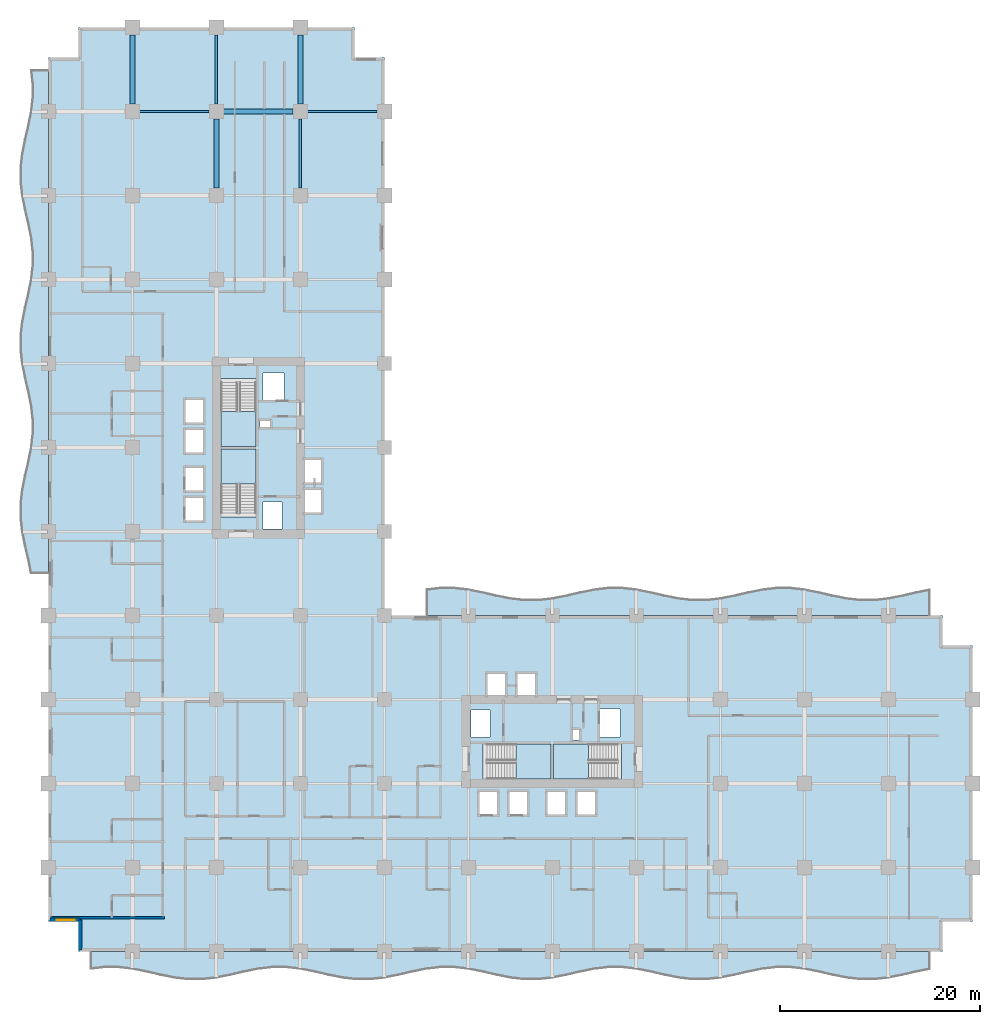
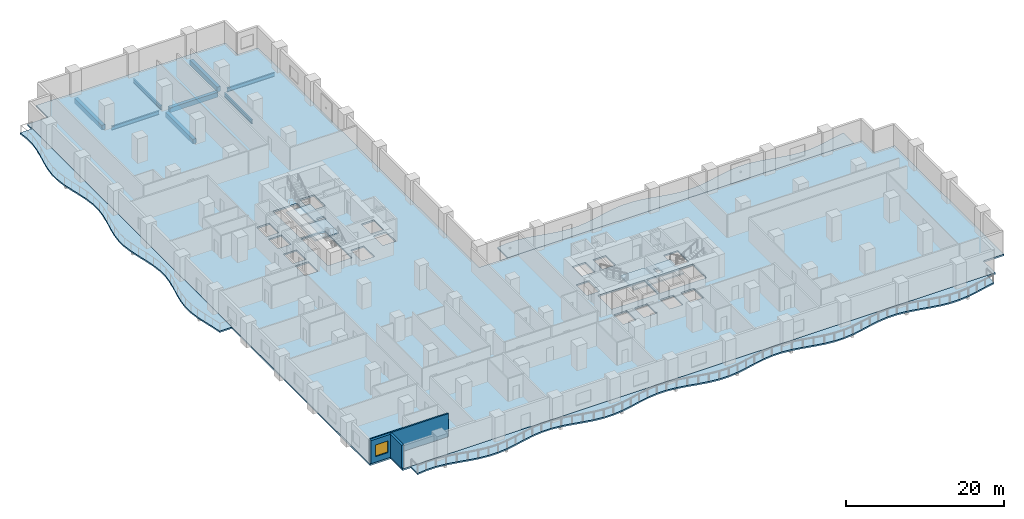
# One storey, part 3 of 20: 8 beams, 8 slabs, 3 walls, 1 window, 1 opening, 4 elements without a shape of their own.
"""IFC4 building model written with IfcOpenShell, lengths in metres."""

import ifcopenshell
import ifcopenshell.guid

model = None  # the IFC model being written
_history = None  # IfcOwnerHistory: only IFC2X3 demands one
_inside = {}  # id of a spatial element -> (the spatial element, [elements in it])
_under = {}  # id of a project, library or spatial element -> (it, [spatial elements below it])
_declared = {}  # id of a project -> (the project, [libraries it declares])
_typed = {}  # id of a type object -> (the type object, [elements of that type])
_made_of = {}  # id of a material, layer set ... -> (it, [elements and type objects made of it])


def new_model(schema):
    """Start an empty IFC model of exactly this schema.

    Asked for "IFC4X3", IfcOpenShell would pick the latest addendum, in which some entities
    have other attributes; the version numbers below select the first issue.
    IFC2X3 requires an IfcOwnerHistory on every rooted entity: one is made here for all.
    """
    global model, _history
    if schema == "IFC4X3":
        model = ifcopenshell.file(schema_version=(4, 3, 0, 0))
    else:
        model = ifcopenshell.file(schema=schema)
    _inside.clear()
    _under.clear()
    _declared.clear()
    _typed.clear()
    _made_of.clear()
    _history = None
    if model.schema == "IFC2X3":
        org = make("IfcOrganization", Name="unknown")
        user = make(
            "IfcPersonAndOrganization",
            ThePerson=make("IfcPerson", FamilyName="unknown"),
            TheOrganization=org,
        )
        app = make(
            "IfcApplication",
            ApplicationDeveloper=org,
            Version="unknown",
            ApplicationFullName="unknown",
            ApplicationIdentifier="unknown",
        )
        _history = make(
            "IfcOwnerHistory",
            OwningUser=user,
            OwningApplication=app,
            ChangeAction="ADDED",
            CreationDate=0,
        )
    return model


def make(cls, **values):
    """One entity of the class cls with the attributes given. An attribute that is None is left unset."""
    return model.create_entity(
        cls, **{name: value for name, value in values.items() if value is not None}
    )


def rooted(cls, **values):
    """An entity with a GlobalId (a new one), such as an element, a storey or a relation."""
    return make(cls, GlobalId=ifcopenshell.guid.new(), OwnerHistory=_history, **values)


def si_unit(unit_type, name, prefix=None):
    """IfcSIUnit, for example si_unit("LENGTHUNIT", "METRE", prefix="MILLI")."""
    return make("IfcSIUnit", UnitType=unit_type, Prefix=prefix, Name=name)


def assignment(units):
    """IfcUnitAssignment: the units of a project."""
    return None if units is None else make("IfcUnitAssignment", Units=units)


def point(xyz):
    """IfcCartesianPoint."""
    return None if xyz is None else make("IfcCartesianPoint", Coordinates=xyz)


def direction(xyz):
    """IfcDirection."""
    return None if xyz is None else make("IfcDirection", DirectionRatios=xyz)


def frame(location, z_axis=None, x_axis=None):
    """IfcAxis2Placement3D, a coordinate frame: its origin and axes. An axis left out is left unset."""
    return make(
        "IfcAxis2Placement3D",
        Location=point(location),
        Axis=direction(z_axis),
        RefDirection=direction(x_axis),
    )


def frame_2d(location, x_axis=None):
    """IfcAxis2Placement2D, a coordinate frame in the plane: its origin and x axis."""
    return make(
        "IfcAxis2Placement2D", Location=point(location), RefDirection=direction(x_axis)
    )


def origin():
    """The frame at (0, 0, 0) with its axes left unset."""
    return frame((0.0, 0.0, 0.0))


def origin_2d():
    """The frame at (0, 0) in the plane with its x axis left unset."""
    return frame_2d((0.0, 0.0))


def place(relative_to, where):
    """IfcLocalPlacement: puts the frame where relative to a parent placement (None: the world)."""
    return make(
        "IfcLocalPlacement", PlacementRelTo=relative_to, RelativePlacement=where
    )


def context(
    kind, dimensions, precision=None, world=None, true_north=None, identifier=None
):
    """IfcGeometricRepresentationContext, for example the 3D "Model" context."""
    return make(
        "IfcGeometricRepresentationContext",
        ContextIdentifier=identifier,
        ContextType=kind,
        CoordinateSpaceDimension=dimensions,
        Precision=precision,
        WorldCoordinateSystem=world,
        TrueNorth=true_north,
    )


def subcontext(parent, identifier, kind, view, scale=None):
    """IfcGeometricRepresentationSubContext, for example "Body" below "Model"."""
    return make(
        "IfcGeometricRepresentationSubContext",
        ContextIdentifier=identifier,
        ContextType=kind,
        ParentContext=parent,
        TargetScale=scale,
        TargetView=view,
    )


def project(units=None, contexts=None):
    """IfcProject with its units and contexts."""
    return rooted(
        "IfcProject",
        Name="project",
        RepresentationContexts=contexts,
        UnitsInContext=assignment(units),
    )


def spatial(cls, under=None, at=None, **own):
    """A site, building, storey or space (cls), placed at a placement, below another one or the project."""
    s = rooted(cls, ObjectPlacement=at, **own)
    if under is not None:
        _under.setdefault(under.id(), (under, []))[1].append(s)
    return s


def polyline(points):
    """IfcPolyline through the points."""
    return make("IfcPolyline", Points=[point(p) for p in points])


def profile(cls, at=None, kind="AREA", **sizes):
    """A parametric profile (cls). Its sizes go by their IFC names, for example OverallWidth=200.0."""
    return make(cls, ProfileType=kind, Position=at, **sizes)


def rectangle(**sizes):
    """IfcRectangleProfileDef."""
    return profile("IfcRectangleProfileDef", **sizes)


def i_section(**sizes):
    """IfcIShapeProfileDef."""
    return profile("IfcIShapeProfileDef", **sizes)


def outline(outer, holes=None, kind="AREA"):
    """IfcArbitraryClosedProfileDef: a profile drawn as a closed curve; with holes, ...WithVoids."""
    if holes is None:
        return make("IfcArbitraryClosedProfileDef", ProfileType=kind, OuterCurve=outer)
    return make(
        "IfcArbitraryProfileDefWithVoids",
        ProfileType=kind,
        OuterCurve=outer,
        InnerCurves=holes,
    )


def extrude(swept, where, along, depth):
    """IfcExtrudedAreaSolid: the profile swept, set in the frame where, extruded along a direction by depth."""
    return make(
        "IfcExtrudedAreaSolid",
        SweptArea=swept,
        Position=where,
        ExtrudedDirection=direction(along),
        Depth=depth,
    )


def shape(context_of_items, identifier, shape_type, items):
    """IfcShapeRepresentation: the items that make up one representation, for example the "Body"."""
    return make(
        "IfcShapeRepresentation",
        ContextOfItems=context_of_items,
        RepresentationIdentifier=identifier,
        RepresentationType=shape_type,
        Items=items,
    )


def material(Name=None, Category=None):
    """IfcMaterial."""
    return make("IfcMaterial", Name=Name, Category=Category)


def layer(
    of_material, thickness, ventilated=None, Name=None, Category=None, Priority=None
):
    """IfcMaterialLayer: one layer of a wall or slab, of a material (None: an air gap)."""
    return make(
        "IfcMaterialLayer",
        Material=of_material,
        LayerThickness=thickness,
        IsVentilated=ventilated,
        Name=Name,
        Category=Category,
        Priority=Priority,
    )


def layer_set(layers, Name=None):
    """IfcMaterialLayerSet."""
    return make("IfcMaterialLayerSet", MaterialLayers=layers, LayerSetName=Name)


def material_profile(
    of_material, cross_section, Name=None, Category=None, Priority=None
):
    """IfcMaterialProfile: a cross section and its material."""
    return make(
        "IfcMaterialProfile",
        Name=Name,
        Material=of_material,
        Profile=cross_section,
        Priority=Priority,
        Category=Category,
    )


def profile_set(profiles, Name=None, composite=None):
    """IfcMaterialProfileSet."""
    return make(
        "IfcMaterialProfileSet",
        Name=Name,
        MaterialProfiles=profiles,
        CompositeProfile=composite,
    )


def made_of(thing, what):
    """Note that an element or type object is made of a material, layer set ...; save() writes the relation."""
    if what is not None:
        _made_of.setdefault(what.id(), (what, []))[1].append(thing)
    return thing


def type_object(cls, material=None, **own):
    """A type object (cls), such as IfcWallType, which elements share."""
    return made_of(rooted(cls, **own), material)


def element(
    cls,
    number,
    at=None,
    inside=None,
    cuts=None,
    type_object=None,
    material=None,
    context=None,
    identifier="Body",
    shape_type=None,
    held_by="IfcProductDefinitionShape",
    body=None,
    shapes=None,
    **own,
):
    """One element of the class cls, such as IfcWall. Its Tag is "e" and its number.

    at: its placement. inside: the storey or other place that contains it. cuts: it is an
    opening in that element (IfcRelVoidsElement). A single representation is given by context,
    identifier, shape_type and body (its items); several are given by shapes. held_by: the class
    of the entity that holds the representations. save() writes the other relations.
    """
    e = rooted(cls, Tag="e%d" % number, ObjectPlacement=at, **own)
    if body is not None:
        shapes = [shape(context, identifier, shape_type, body)]
    if shapes is not None:
        e.Representation = make(held_by, Representations=shapes)
    if inside is not None:
        _inside.setdefault(inside.id(), (inside, []))[1].append(e)
    if cuts is not None:
        rooted(
            "IfcRelVoidsElement", RelatingBuildingElement=cuts, RelatedOpeningElement=e
        )
    if type_object is not None:
        _typed.setdefault(type_object.id(), (type_object, []))[1].append(e)
    return made_of(e, material)


def fill(opening, filler):
    """IfcRelFillsElement: the door or window that sits in an opening."""
    return rooted(
        "IfcRelFillsElement",
        RelatingOpeningElement=opening,
        RelatedBuildingElement=filler,
    )


def aggregate(whole, parts):
    """IfcRelAggregates: a whole, such as a stair, and the parts it consists of."""
    return rooted("IfcRelAggregates", RelatingObject=whole, RelatedObjects=parts)


def save(model, path):
    """Write the relations noted so far, then the file.

    IfcRelAggregates (storeys below a building ...), IfcRelContainedInSpatialStructure (elements
    in a storey), IfcRelDefinesByType, IfcRelAssociatesMaterial and IfcRelDeclares: one each for
    every whole, place, type object, material and project.
    """
    for whole, parts in _under.values():
        aggregate(whole, parts)
    for where, things in _inside.values():
        rooted(
            "IfcRelContainedInSpatialStructure",
            RelatedElements=things,
            RelatingStructure=where,
        )
    for kind, things in _typed.values():
        rooted("IfcRelDefinesByType", RelatedObjects=things, RelatingType=kind)
    for what, things in _made_of.values():
        rooted("IfcRelAssociatesMaterial", RelatedObjects=things, RelatingMaterial=what)
    for by, libraries in _declared.values():
        rooted("IfcRelDeclares", RelatingContext=by, RelatedDefinitions=libraries)
    model.write(path)


model = new_model("IFC4")

# Units and contexts
model_context = context("Model", 3, precision=1e-05, world=origin(), true_north=direction((0.0, 1.0)))
body_context = subcontext(model_context, "Body", "Model", "MODEL_VIEW")
ifc_project = project(units=[si_unit("LENGTHUNIT", "METRE"), si_unit("AREAUNIT", "SQUARE_METRE"), si_unit("VOLUMEUNIT", "CUBIC_METRE"), si_unit("PLANEANGLEUNIT", "RADIAN"), si_unit("MASSUNIT", "GRAM", prefix="KILO")], contexts=[model_context])

# Site, building, storey
site_placement = place(None, origin())
site = spatial("IfcSite", under=ifc_project, at=site_placement, CompositionType="ELEMENT")
building_placement = place(site_placement, origin())
building = spatial("IfcBuilding", under=site, at=building_placement, Name="Koriwani Terraces Tower", CompositionType="ELEMENT")
storey_placement = place(building_placement, frame((0.0, 0.0, 66.199951171875)))
storey = spatial("IfcBuildingStorey", under=building, at=storey_placement, Name="L15", CompositionType="ELEMENT", Elevation=66.199951171875)

# Beams
ifc_material_1 = material(Name="Concrete C50/60", Category="concrete")
ifc_material_profile_1 = material_profile(ifc_material_1, rectangle(XDim=0.5, YDim=0.75, at=origin_2d()), Name="Concrete C50/60", Category="LoadBearing")
ifc_profile_set_1 = profile_set([ifc_material_profile_1], Name="Concrete C50/60")
beam_type_1 = type_object("IfcBeamType", Name="BEAM_RC_GRID_500X750", PredefinedType="BEAM", material=ifc_profile_set_1)
for number, where, z_axis, x_axis, name in (
    (1, (17.530029296875, 84.0, -0.625), (1.0, 0.0, 0.0), (0.0, 1.0, 0.0), "L15 Grid Beam K (16.8-25.2m)"),
    (2, (8.39990234375, 84.72998046875, -0.625), (0.0, 1.0, 0.0), (-1.0, 0.0, 0.0), "L15 Grid Beam 2 (84.0-92.4m)"),
    (3, (16.800048828125, 76.330078125, -0.625), (0.0, 1.0, 0.0), (-1.0, 0.0, 0.0), "L15 Grid Beam 3 (75.6-84.0m)"),
    (4, (25.199951171875, 84.72998046875, -0.625), (0.0, 1.0, 0.0), (-1.0, 0.0, 0.0), "L15 Grid Beam 4 (84.0-92.4m)"),
):
    element("IfcBeam", number, at=place(storey_placement, frame(where, z_axis=z_axis, x_axis=x_axis)), inside=storey, type_object=beam_type_1, Name=name, PredefinedType="BEAM", context=body_context, shape_type="SweptSolid", body=[
        extrude(rectangle(XDim=0.5, YDim=0.75, at=origin_2d()), origin(), (0.0, 0.0, 1.0), 6.93994140625),
    ])
ifc_material_2 = material(Name="Steel ASTM A572 Grade 50", Category="steel")
ifc_material_profile_2 = material_profile(ifc_material_2, i_section(OverallWidth=0.22900390625, OverallDepth=0.611083984375, WebThickness=0.0126953125, FlangeThickness=0.022216796875, at=origin_2d()), Name="Steel ASTM A572 Grade 50", Category="LoadBearing")
ifc_profile_set_2 = profile_set([ifc_material_profile_2], Name="Steel ASTM A572 Grade 50")
beam_type_2 = type_object("IfcBeamType", Name="STEEL_BEAM_W610X155", PredefinedType="BEAM", material=ifc_profile_set_2)
for number, where, z_axis, x_axis, name in (
    (5, (9.1298828125, 84.0, -0.555419921875), (1.0, 0.0, 0.0), (0.0, 1.0, 0.0), "L15 Grid Beam K (8.4-16.8m)"),
    (6, (25.929931640625, 84.0, -0.555419921875), (1.0, 0.0, 0.0), (0.0, 1.0, 0.0), "L15 Grid Beam K (25.2-33.6m)"),
):
    element("IfcBeam", number, at=place(storey_placement, frame(where, z_axis=z_axis, x_axis=x_axis)), inside=storey, type_object=beam_type_2, Name=name, PredefinedType="BEAM", context=body_context, shape_type="SweptSolid", body=[
        extrude(i_section(OverallWidth=0.22900390625, OverallDepth=0.611083984375, WebThickness=0.0126953125, FlangeThickness=0.022216796875, at=origin_2d()), origin(), (0.0, 0.0, 1.0), 6.940185546875),
    ])
for number, where, z_axis, x_axis, name in (
    (7, (16.800048828125, 84.72998046875, -0.555419921875), (0.0, 1.0, 0.0), (-1.0, 0.0, 0.0), "L15 Grid Beam 3 (84.0-92.4m)"),
    (8, (25.199951171875, 76.330078125, -0.555419921875), (0.0, 1.0, 0.0), (-1.0, 0.0, 0.0), "L15 Grid Beam 4 (75.6-84.0m)"),
):
    element("IfcBeam", number, at=place(storey_placement, frame(where, z_axis=z_axis, x_axis=x_axis)), inside=storey, type_object=beam_type_2, Name=name, PredefinedType="BEAM", context=body_context, shape_type="SweptSolid", body=[
        extrude(i_section(OverallWidth=0.22900390625, OverallDepth=0.611083984375, WebThickness=0.0126953125, FlangeThickness=0.022216796875, at=origin_2d()), origin(), (0.0, 0.0, 1.0), 6.93994140625),
    ])

# Slabs
ifc_material_3 = material(Name="Concrete C40/50", Category="concrete")
ifc_layer_1 = layer(ifc_material_3, 0.219970703125, Name="Concrete C40/50")
ifc_layer_set_1 = layer_set([ifc_layer_1], Name="Concrete C40/50")
slab_type_1 = type_object("IfcSlabType", Name="SLAB_BALCONY_220", PredefinedType="FLOOR", material=ifc_layer_set_1)
slab_1_placement = place(storey_placement, frame((0.0, 0.0, -0.219970703125)))
element("IfcSlab", 9, at=slab_1_placement, inside=storey, type_object=slab_type_1, Name="L15 Quilted Circular-Arc Balcony (S)", PredefinedType="FLOOR", context=body_context, shape_type="SweptSolid", body=[
    extrude(outline(polyline([(4.199951171875, 0.0), (5.60009765625, 0.0), (7.0, 0.0), (8.39990234375, 0.0), (9.800048828125, 0.0), (11.199951171875, 0.0), (12.60009765625, 0.0), (14.0, 0.0), (15.39990234375, 0.0), (16.800048828125, 0.0), (18.199951171875, 0.0), (19.60009765625, 0.0), (21.0, 0.0), (22.39990234375, 0.0), (23.800048828125, 0.0), (25.199951171875, 0.0), (26.60009765625, 0.0), (28.0, 0.0), (29.39990234375, 0.0), (30.800048828125, 0.0), (32.199951171875, 0.0), (33.60009765625, 0.0), (35.0, 0.0), (36.39990234375, 0.0), (37.800048828125, 0.0), (39.199951171875, 0.0), (40.60009765625, 0.0), (42.0, 0.0), (43.39990234375, 0.0), (44.800048828125, 0.0), (46.199951171875, 0.0), (47.60009765625, 0.0), (49.0, 0.0), (50.39990234375, 0.0), (51.800048828125, 0.0), (53.199951171875, 0.0), (54.60009765625, 0.0), (56.0, 0.0), (57.39990234375, 0.0), (58.800048828125, 0.0), (60.199951171875, 0.0), (61.60009765625, 0.0), (63.0, 0.0), (64.39990234375, 0.0), (65.800048828125, 0.0), (67.199951171875, 0.0), (68.60009765625, 0.0), (70.0, 0.0), (71.39990234375, 0.0), (72.800048828125, 0.0), (74.199951171875, 0.0), (75.60009765625, 0.0), (77.0, 0.0), (78.39990234375, 0.0), (79.800048828125, 0.0), (81.199951171875, 0.0), (82.60009765625, 0.0), (84.0, 0.0), (85.39990234375, 0.0), (86.800048828125, 0.0), (88.199951171875, 0.0), (88.199951171875, -1.783203125), (86.800048828125, -2.063232421875), (85.39990234375, -2.38671875), (84.0, -2.6669921875), (82.60009765625, -2.82861328125), (81.199951171875, -2.82861328125), (79.800048828125, -2.6669921875), (78.39990234375, -2.38671875), (77.0, -2.063232421875), (75.60009765625, -1.783203125), (74.199951171875, -1.621337890625), (72.800048828125, -1.621337890625), (71.39990234375, -1.783203125), (70.0, -2.063232421875), (68.60009765625, -2.38671875), (67.199951171875, -2.6669921875), (65.800048828125, -2.82861328125), (64.39990234375, -2.82861328125), (63.0, -2.6669921875), (61.60009765625, -2.38671875), (60.199951171875, -2.063232421875), (58.800048828125, -1.783203125), (57.39990234375, -1.621337890625), (56.0, -1.621337890625), (54.60009765625, -1.783203125), (53.199951171875, -2.063232421875), (51.800048828125, -2.38671875), (50.39990234375, -2.6669921875), (49.0, -2.82861328125), (47.60009765625, -2.82861328125), (46.199951171875, -2.6669921875), (44.800048828125, -2.38671875), (43.39990234375, -2.063232421875), (42.0, -1.783203125), (40.60009765625, -1.621337890625), (39.199951171875, -1.621337890625), (37.800048828125, -1.783203125), (36.39990234375, -2.063232421875), (35.0, -2.38671875), (33.60009765625, -2.6669921875), (32.199951171875, -2.82861328125), (30.800048828125, -2.82861328125), (29.39990234375, -2.6669921875), (28.0, -2.38671875), (26.60009765625, -2.063232421875), (25.199951171875, -1.783203125), (23.800048828125, -1.621337890625), (22.39990234375, -1.621337890625), (21.0, -1.783203125), (19.60009765625, -2.063232421875), (18.199951171875, -2.38671875), (16.800048828125, -2.6669921875), (15.39990234375, -2.82861328125), (14.0, -2.82861328125), (12.60009765625, -2.6669921875), (11.199951171875, -2.38671875), (9.800048828125, -2.063232421875), (8.39990234375, -1.783203125), (7.0, -1.621337890625), (5.60009765625, -1.621337890625), (4.199951171875, -1.783203125), (4.199951171875, 0.0)])), origin(), (0.0, 0.0, 1.0), 0.219970703125),
])
slab_2_placement = place(storey_placement, frame((0.0, 0.0, -0.219970703125)))
element("IfcSlab", 10, at=slab_2_placement, inside=storey, type_object=slab_type_1, Name="L15 Quilted Circular-Arc Balcony (W)", PredefinedType="FLOOR", context=body_context, shape_type="SweptSolid", body=[
    extrude(outline(polyline([(0.0, 37.800048828125), (0.0, 39.199951171875), (0.0, 40.60009765625), (0.0, 42.0), (0.0, 43.39990234375), (0.0, 44.800048828125), (0.0, 46.199951171875), (0.0, 47.60009765625), (0.0, 49.0), (0.0, 50.39990234375), (0.0, 51.800048828125), (0.0, 53.199951171875), (0.0, 54.60009765625), (0.0, 56.0), (0.0, 57.39990234375), (0.0, 58.800048828125), (0.0, 60.199951171875), (0.0, 61.60009765625), (0.0, 63.0), (0.0, 64.39990234375), (0.0, 65.800048828125), (0.0, 67.199951171875), (0.0, 68.60009765625), (0.0, 70.0), (0.0, 71.39990234375), (0.0, 72.800048828125), (0.0, 74.199951171875), (0.0, 75.60009765625), (0.0, 77.0), (0.0, 78.39990234375), (0.0, 79.800048828125), (0.0, 81.199951171875), (0.0, 82.60009765625), (0.0, 84.0), (0.0, 85.39990234375), (0.0, 86.800048828125), (0.0, 88.199951171875), (-1.783203125, 88.199951171875), (-1.621337890625, 86.800048828125), (-1.621337890625, 85.39990234375), (-1.783203125, 84.0), (-2.063232421875, 82.60009765625), (-2.38671875, 81.199951171875), (-2.6669921875, 79.800048828125), (-2.82861328125, 78.39990234375), (-2.82861328125, 77.0), (-2.6669921875, 75.60009765625), (-2.38671875, 74.199951171875), (-2.063232421875, 72.800048828125), (-1.783203125, 71.39990234375), (-1.621337890625, 70.0), (-1.621337890625, 68.60009765625), (-1.783203125, 67.199951171875), (-2.063232421875, 65.800048828125), (-2.38671875, 64.39990234375), (-2.6669921875, 63.0), (-2.82861328125, 61.60009765625), (-2.82861328125, 60.199951171875), (-2.6669921875, 58.800048828125), (-2.38671875, 57.39990234375), (-2.063232421875, 56.0), (-1.783203125, 54.60009765625), (-1.621337890625, 53.199951171875), (-1.621337890625, 51.800048828125), (-1.783203125, 50.39990234375), (-2.063232421875, 49.0), (-2.38671875, 47.60009765625), (-2.6669921875, 46.199951171875), (-2.82861328125, 44.800048828125), (-2.82861328125, 43.39990234375), (-2.6669921875, 42.0), (-2.38671875, 40.60009765625), (-2.063232421875, 39.199951171875), (-1.783203125, 37.800048828125), (0.0, 37.800048828125)])), origin(), (0.0, 0.0, 1.0), 0.219970703125),
])
slab_3_placement = place(storey_placement, frame((0.0, 0.0, -0.219970703125)))
element("IfcSlab", 11, at=slab_3_placement, inside=storey, type_object=slab_type_1, Name="L15 Quilted Circular-Arc Balcony (NE)", PredefinedType="FLOOR", context=body_context, shape_type="SweptSolid", body=[
    extrude(outline(polyline([(88.199951171875, 33.60009765625), (86.800048828125, 33.60009765625), (85.39990234375, 33.60009765625), (84.0, 33.60009765625), (82.60009765625, 33.60009765625), (81.199951171875, 33.60009765625), (79.800048828125, 33.60009765625), (78.39990234375, 33.60009765625), (77.0, 33.60009765625), (75.60009765625, 33.60009765625), (74.199951171875, 33.60009765625), (72.800048828125, 33.60009765625), (71.39990234375, 33.60009765625), (70.0, 33.60009765625), (68.60009765625, 33.60009765625), (67.199951171875, 33.60009765625), (65.800048828125, 33.60009765625), (64.39990234375, 33.60009765625), (63.0, 33.60009765625), (61.60009765625, 33.60009765625), (60.199951171875, 33.60009765625), (58.800048828125, 33.60009765625), (57.39990234375, 33.60009765625), (56.0, 33.60009765625), (54.60009765625, 33.60009765625), (53.199951171875, 33.60009765625), (51.800048828125, 33.60009765625), (50.39990234375, 33.60009765625), (49.0, 33.60009765625), (47.60009765625, 33.60009765625), (46.199951171875, 33.60009765625), (44.800048828125, 33.60009765625), (43.39990234375, 33.60009765625), (42.0, 33.60009765625), (40.60009765625, 33.60009765625), (39.199951171875, 33.60009765625), (37.800048828125, 33.60009765625), (37.800048828125, 36.266845703125), (39.199951171875, 36.4287109375), (40.60009765625, 36.4287109375), (42.0, 36.266845703125), (43.39990234375, 35.98681640625), (44.800048828125, 35.6630859375), (46.199951171875, 35.383056640625), (47.60009765625, 35.22119140625), (49.0, 35.22119140625), (50.39990234375, 35.383056640625), (51.800048828125, 35.6630859375), (53.199951171875, 35.98681640625), (54.60009765625, 36.266845703125), (56.0, 36.4287109375), (57.39990234375, 36.4287109375), (58.800048828125, 36.266845703125), (60.199951171875, 35.98681640625), (61.60009765625, 35.6630859375), (63.0, 35.383056640625), (64.39990234375, 35.22119140625), (65.800048828125, 35.22119140625), (67.199951171875, 35.383056640625), (68.60009765625, 35.6630859375), (70.0, 35.98681640625), (71.39990234375, 36.266845703125), (72.800048828125, 36.4287109375), (74.199951171875, 36.4287109375), (75.60009765625, 36.266845703125), (77.0, 35.98681640625), (78.39990234375, 35.6630859375), (79.800048828125, 35.383056640625), (81.199951171875, 35.22119140625), (82.60009765625, 35.22119140625), (84.0, 35.383056640625), (85.39990234375, 35.6630859375), (86.800048828125, 35.98681640625), (88.199951171875, 36.266845703125), (88.199951171875, 33.60009765625)])), origin(), (0.0, 0.0, 1.0), 0.219970703125),
])

# Stair, slab
stair_type = type_object("IfcStairType", Name="STAIR_CORE_DOGLEG_1650", PredefinedType="TWO_STRAIGHT_RUN_STAIR", material=ifc_material_3)
stair_1_placement = place(storey_placement, origin())
stair_1 = element("IfcStair", 12, at=stair_1_placement, inside=storey, type_object=stair_type, Name="L15 West Core Exit Stair 1", PredefinedType="HALF_TURN_STAIR")
ifc_layer_2 = layer(ifc_material_3, 0.199951171875, Name="Concrete C40/50")
ifc_layer_set_2 = layer_set([ifc_layer_2], Name="Concrete C40/50")
slab_type_2 = type_object("IfcSlabType", Name="SLAB_STAIR_LANDING_200", PredefinedType="LANDING", material=ifc_layer_set_2)
slab_4_placement = place(storey_placement, frame((0.0, 0.0, 1.699951171875)))
slab_4 = element("IfcSlab", 13, at=slab_4_placement, type_object=slab_type_2, Name="ST-W1 landing 1", PredefinedType="LANDING", context=body_context, shape_type="SweptSolid", body=[
    extrude(outline(polyline([(20.75, 46.75), (20.75, 50.25), (17.25, 50.25), (17.25, 46.75), (20.75, 46.75)])), origin(), (0.0, 0.0, 1.0), 0.2001953125),
])
aggregate(stair_1, [slab_4])

stair_2_placement = place(storey_placement, origin())
stair_2 = element("IfcStair", 14, at=stair_2_placement, inside=storey, type_object=stair_type, Name="L15 West Core Exit Stair 2", PredefinedType="HALF_TURN_STAIR")
slab_5_placement = place(storey_placement, frame((0.0, 0.0, 1.699951171875)))
slab_5 = element("IfcSlab", 15, at=slab_5_placement, type_object=slab_type_2, Name="ST-W2 landing 1", PredefinedType="LANDING", context=body_context, shape_type="SweptSolid", body=[
    extrude(outline(polyline([(17.25, 54.0), (17.25, 50.5), (20.75, 50.5), (20.75, 54.0), (17.25, 54.0)])), origin(), (0.0, 0.0, 1.0), 0.2001953125),
])
aggregate(stair_2, [slab_5])

stair_3_placement = place(storey_placement, origin())
stair_3 = element("IfcStair", 16, at=stair_3_placement, inside=storey, type_object=stair_type, Name="L15 East Core Exit Stair 1", PredefinedType="HALF_TURN_STAIR")
slab_6_placement = place(storey_placement, frame((0.0, 0.0, 1.699951171875)))
slab_6 = element("IfcSlab", 17, at=slab_6_placement, type_object=slab_type_2, Name="ST-E1 landing 1", PredefinedType="LANDING", context=body_context, shape_type="SweptSolid", body=[
    extrude(outline(polyline([(46.75, 17.25), (50.25, 17.25), (50.25, 20.75), (46.75, 20.75), (46.75, 17.25)])), origin(), (0.0, 0.0, 1.0), 0.2001953125),
])
aggregate(stair_3, [slab_6])

stair_4_placement = place(storey_placement, origin())
stair_4 = element("IfcStair", 18, at=stair_4_placement, inside=storey, type_object=stair_type, Name="L15 East Core Exit Stair 2", PredefinedType="HALF_TURN_STAIR")
slab_7_placement = place(storey_placement, frame((0.0, 0.0, 1.699951171875)))
slab_7 = element("IfcSlab", 19, at=slab_7_placement, type_object=slab_type_2, Name="ST-E2 landing 1", PredefinedType="LANDING", context=body_context, shape_type="SweptSolid", body=[
    extrude(outline(polyline([(54.0, 20.75), (50.5, 20.75), (50.5, 17.25), (54.0, 17.25), (54.0, 20.75)])), origin(), (0.0, 0.0, 1.0), 0.2001953125),
])
aggregate(stair_4, [slab_7])

# Slab
ifc_layer_3 = layer(ifc_material_3, 0.25, Name="Concrete C40/50")
ifc_layer_set_3 = layer_set([ifc_layer_3], Name="Concrete C40/50")
slab_type_3 = type_object("IfcSlabType", Name="SLAB_TOWER_TYP_250", PredefinedType="FLOOR", material=ifc_layer_set_3)
slab_8_placement = place(storey_placement, frame((0.0, 0.0, -0.25)))
element("IfcSlab", 20, at=slab_8_placement, inside=storey, type_object=slab_type_3, Name="L15 Structural Floor Slab", PredefinedType="FLOOR", context=body_context, shape_type="SweptSolid", body=[
    extrude(outline(polyline([(3.0, 0.0), (89.39990234375, 0.0), (89.39990234375, 3.0), (92.39990234375, 3.0), (92.39990234375, 30.60009765625), (89.39990234375, 30.60009765625), (89.39990234375, 33.60009765625), (33.60009765625, 33.60009765625), (33.60009765625, 89.39990234375), (30.60009765625, 89.39990234375), (30.60009765625, 92.39990234375), (3.0, 92.39990234375), (3.0, 89.39990234375), (0.0, 89.39990234375), (0.0, 3.0), (3.0, 3.0), (3.0, 0.0)]), holes=[polyline([(17.25, 43.4599609375), (20.75, 43.4599609375), (20.75, 50.25), (17.25, 50.25), (17.25, 43.4599609375)]), polyline([(17.25, 50.5), (20.75, 50.5), (20.75, 57.2900390625), (17.25, 57.2900390625), (17.25, 50.5)]), polyline([(43.4599609375, 17.25), (50.25, 17.25), (50.25, 20.75), (43.4599609375, 20.75), (43.4599609375, 17.25)]), polyline([(50.5, 17.25), (57.2900390625, 17.25), (57.2900390625, 20.75), (50.5, 20.75), (50.5, 17.25)]), polyline([(13.64990234375, 43.050048828125), (15.550048828125, 43.050048828125), (15.550048828125, 45.449951171875), (13.64990234375, 45.449951171875), (13.64990234375, 43.050048828125)]), polyline([(13.64990234375, 46.050048828125), (15.550048828125, 46.050048828125), (15.550048828125, 48.449951171875), (13.64990234375, 48.449951171875), (13.64990234375, 46.050048828125)]), polyline([(43.050048828125, 13.64990234375), (44.949951171875, 13.64990234375), (44.949951171875, 16.050048828125), (43.050048828125, 16.050048828125), (43.050048828125, 13.64990234375)]), polyline([(46.050048828125, 13.64990234375), (47.949951171875, 13.64990234375), (47.949951171875, 16.050048828125), (46.050048828125, 16.050048828125), (46.050048828125, 13.64990234375)]), polyline([(13.64990234375, 49.85009765625), (15.550048828125, 49.85009765625), (15.550048828125, 52.25), (13.64990234375, 52.25), (13.64990234375, 49.85009765625)]), polyline([(13.64990234375, 52.85009765625), (15.550048828125, 52.85009765625), (15.550048828125, 55.25), (13.64990234375, 55.25), (13.64990234375, 52.85009765625)]), polyline([(49.85009765625, 13.64990234375), (51.75, 13.64990234375), (51.75, 16.050048828125), (49.85009765625, 16.050048828125), (49.85009765625, 13.64990234375)]), polyline([(52.85009765625, 13.64990234375), (54.75, 13.64990234375), (54.75, 16.050048828125), (52.85009765625, 16.050048828125), (52.85009765625, 13.64990234375)]), polyline([(25.449951171875, 43.85009765625), (27.35009765625, 43.85009765625), (27.35009765625, 46.25), (25.449951171875, 46.25), (25.449951171875, 43.85009765625)]), polyline([(25.449951171875, 46.85009765625), (27.35009765625, 46.85009765625), (27.35009765625, 49.25), (25.449951171875, 49.25), (25.449951171875, 46.85009765625)]), polyline([(43.85009765625, 25.449951171875), (45.75, 25.449951171875), (45.75, 27.85009765625), (43.85009765625, 27.85009765625), (43.85009765625, 25.449951171875)]), polyline([(46.85009765625, 25.449951171875), (48.75, 25.449951171875), (48.75, 27.85009765625), (46.85009765625, 27.85009765625), (46.85009765625, 25.449951171875)]), polyline([(21.449951171875, 55.050048828125), (23.550048828125, 55.050048828125), (23.550048828125, 57.85009765625), (21.449951171875, 57.85009765625), (21.449951171875, 55.050048828125)]), polyline([(55.050048828125, 21.449951171875), (57.14990234375, 21.449951171875), (57.14990234375, 24.25), (55.050048828125, 24.25), (55.050048828125, 21.449951171875)]), polyline([(21.449951171875, 42.25), (23.35009765625, 42.25), (23.35009765625, 44.949951171875), (21.449951171875, 44.949951171875), (21.449951171875, 42.25)]), polyline([(42.25, 21.449951171875), (44.14990234375, 21.449951171875), (44.14990234375, 24.14990234375), (42.25, 24.14990234375), (42.25, 21.449951171875)]), polyline([(21.14990234375, 52.419921875), (22.219970703125, 52.419921875), (22.219970703125, 53.179931640625), (21.14990234375, 53.179931640625), (21.14990234375, 52.419921875)]), polyline([(52.419921875, 21.14990234375), (53.179931640625, 21.14990234375), (53.179931640625, 22.219970703125), (52.419921875, 22.219970703125), (52.419921875, 21.14990234375)])]), origin(), (0.0, 0.0, 1.0), 0.25),
])

# Walls
ifc_material_4 = material(Name="Autoclaved Cellular Concrete Blockwork", Category="masonry")
ifc_layer_4 = layer(ifc_material_4, 0.219970703125, Name="Autoclaved Cellular Concrete Blockwork")
ifc_layer_set_4 = layer_set([ifc_layer_4], Name="Autoclaved Cellular Concrete Blockwork")
wall_type_1 = type_object("IfcWallType", Name="WALL_DEMISING_220", PredefinedType="PARTITIONING", material=ifc_layer_set_4)
wall_1_placement = place(storey_placement, frame((0.199951171875, 3.39990234375, 0.0), z_axis=(0.0, 0.0, 1.0), x_axis=(1.0, 0.0, 0.0)))
element("IfcWall", 21, at=wall_1_placement, inside=storey, type_object=wall_type_1, Name="L15 Interior Wall WDEM-L15-NW-0", PredefinedType="PARTITIONING", context=body_context, shape_type="SweptSolid", body=[
    extrude(rectangle(XDim=11.429931640625, YDim=0.219970703125, at=frame_2d((5.71484375, 0.0))), origin(), (0.0, 0.0, 1.0), 3.550048828125),
])
ifc_layer_5 = layer(ifc_material_1, 0.35009765625, Name="Concrete C50/60")
ifc_layer_set_5 = layer_set([ifc_layer_5], Name="Concrete C50/60")
wall_type_2 = type_object("IfcWallType", Name="WALL_EXT_BRUTALIST_350", PredefinedType="STANDARD", material=ifc_layer_set_5)
wall_2_placement = place(storey_placement, frame((3.175048828125, 0.175048828125, 0.0), z_axis=(0.0, 0.0, 1.0), x_axis=(0.0, 1.0, 0.0)))
element("IfcWall", 22, at=wall_2_placement, inside=storey, type_object=wall_type_2, Name="L15 Fair-Faced Brutalist Exterior Wall (N0)", PredefinedType="STANDARD", context=body_context, shape_type="SweptSolid", body=[
    extrude(rectangle(XDim=3.0, YDim=0.35009765625, at=frame_2d((1.5, 0.0))), origin(), (0.0, 0.0, 1.0), 3.550048828125),
])

# Wall, opening, window
wall_3_placement = place(storey_placement, frame((3.175048828125, 3.175048828125, 0.0), z_axis=(0.0, 0.0, 1.0), x_axis=(-1.0, 0.0, 0.0)))
wall_3 = element("IfcWall", 23, at=wall_3_placement, inside=storey, type_object=wall_type_2, Name="L15 Fair-Faced Brutalist Exterior Wall (N1)", PredefinedType="STANDARD", context=body_context, shape_type="SweptSolid", body=[
    extrude(rectangle(XDim=3.0, YDim=0.35009765625, at=frame_2d((1.5, 0.0))), origin(), (0.0, 0.0, 1.0), 3.550048828125),
])
opening_placement = place(wall_3_placement, frame((0.5224609375, 0.0, 0.85009765625)))
opening = element("IfcOpeningElement", 24, at=opening_placement, cuts=wall_3, Name="Opening W-04", PredefinedType="OPENING", context=body_context, shape_type="SweptSolid", body=[
    extrude(rectangle(XDim=1.800048828125, YDim=1.800048828125, at=frame_2d((0.89990234375, 0.89990234375))), frame((0.0, 0.18505859375, 0.0), z_axis=(0.0, -1.0, 0.0), x_axis=(1.0, 0.0, 0.0)), (0.0, 0.0, 1.0), 0.3701171875),
])
ifc_material_5 = material(Name="Tempered Laminated Low-E Glass", Category="glass")
window_type = type_object("IfcWindowType", Name="WIN_RES_BED_1800X1800", PartitioningType="DOUBLE_PANEL_VERTICAL", PredefinedType="WINDOW", material=ifc_material_5)
window_placement = place(opening_placement, origin())
window = element("IfcWindow", 25, at=window_placement, inside=storey, type_object=window_type, Name="L15 Exterior Window (N1-R35)", OverallHeight=1.800048828125, OverallWidth=1.800048828125, PartitioningType="SINGLE_PANEL", PredefinedType="WINDOW", context=body_context, shape_type="SweptSolid", body=[
    extrude(rectangle(XDim=1.800048828125, YDim=1.800048828125, at=frame_2d((0.89990234375, 0.89990234375))), frame((0.0, 0.030029296875, 0.0), z_axis=(0.0, -1.0, 0.0), x_axis=(1.0, 0.0, 0.0)), (0.0, 0.0, 1.0), 0.06005859375),
])
fill(opening, window)

save(model, "model.ifc")
